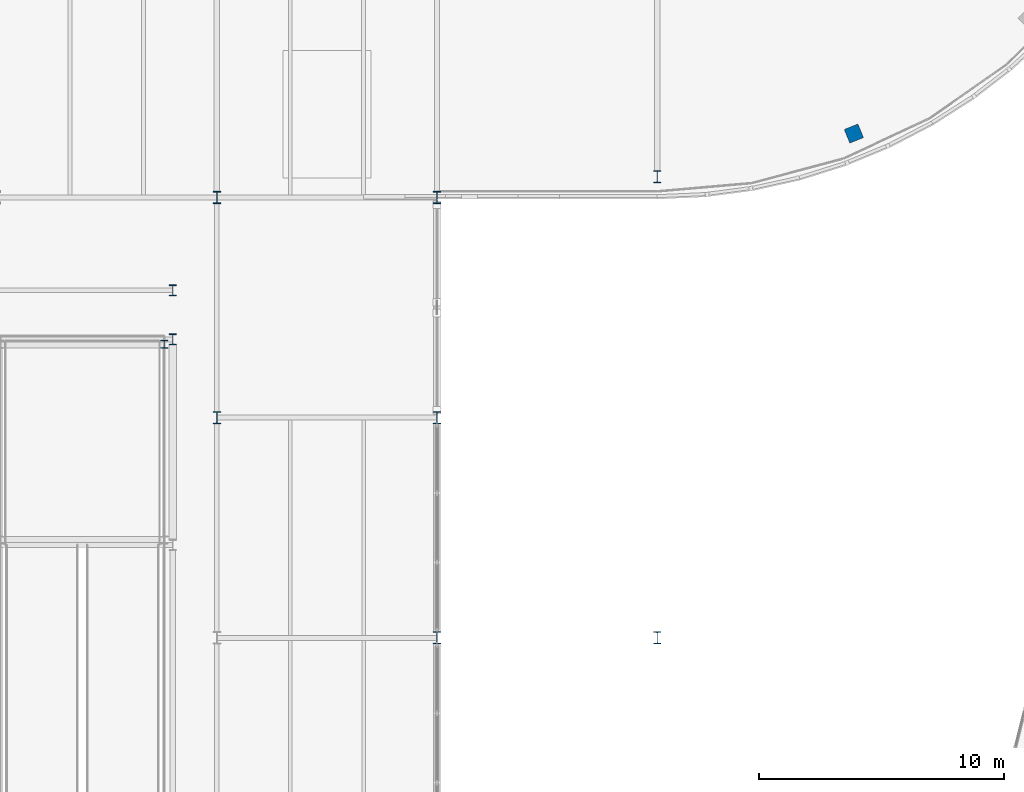
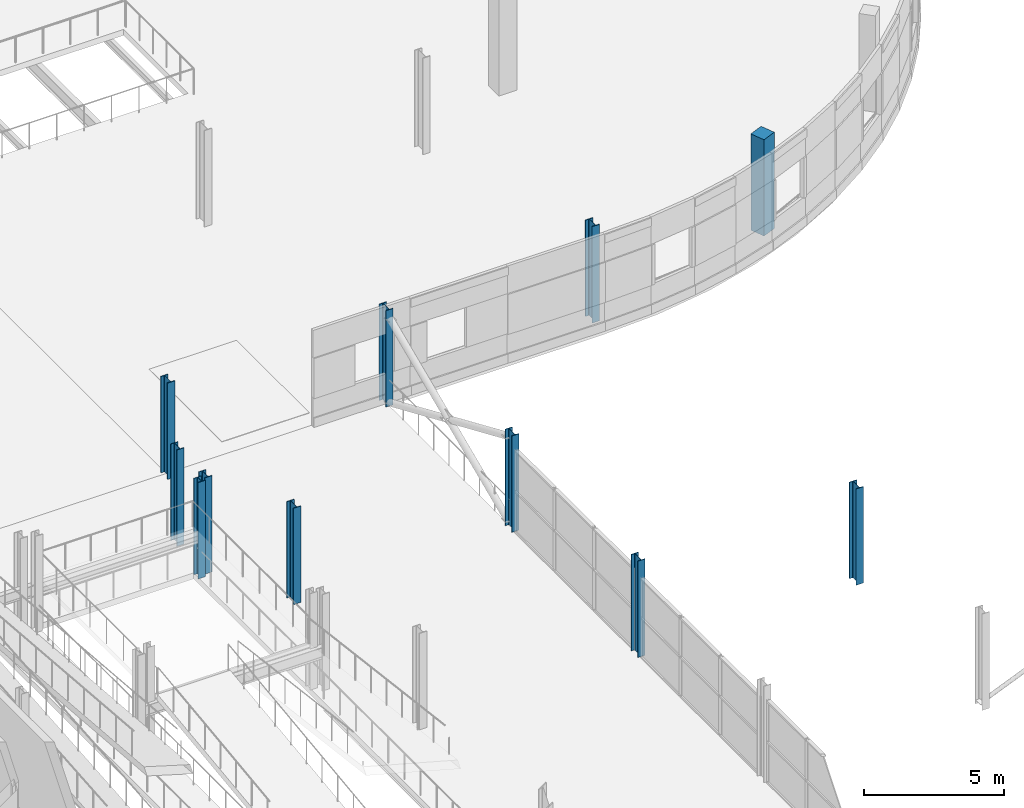
# One storey, part 13 of 140: 11 columns.
"""IFC4 building model written with IfcOpenShell, lengths in metres."""

from ifc_helpers import new_model, si_unit, direction, frame, origin, origin_2d, place, context, subcontext, project, spatial, rectangle, i_section, extrude, material, material_profile, profile_set, type_object, element, save


model = new_model("IFC4")

# Units and contexts
model_context = context("Model", 3, precision=1e-05, world=origin(), true_north=direction((0.0, 1.0)))
body_context = subcontext(model_context, "Body", "Model", "MODEL_VIEW")
ifc_project = project(units=[si_unit("LENGTHUNIT", "METRE"), si_unit("AREAUNIT", "SQUARE_METRE"), si_unit("VOLUMEUNIT", "CUBIC_METRE"), si_unit("PLANEANGLEUNIT", "RADIAN"), si_unit("MASSUNIT", "GRAM", prefix="KILO")], contexts=[model_context])

# Site, building, storey
site_placement = place(None, origin())
site = spatial("IfcSite", under=ifc_project, at=site_placement, CompositionType="ELEMENT")
building_placement = place(site_placement, origin())
building = spatial("IfcBuilding", under=site, at=building_placement, Name="Deido Ridge Mobility Hub", CompositionType="ELEMENT")
storey_placement = place(building_placement, origin())
storey = spatial("IfcBuildingStorey", under=building, at=storey_placement, Name="L00", CompositionType="ELEMENT", Elevation=0.0)

# Columns
ifc_material_1 = material(Name="Steel S355J2 EN 10025-2", Category="steel")
ifc_material_profile_1 = material_profile(ifc_material_1, i_section(OverallWidth=0.300048828125, OverallDepth=0.320068359375, WebThickness=0.011474609375, FlangeThickness=0.0205078125, FilletRadius=0.027099609375, at=origin_2d()), Name="HEB 320")
ifc_profile_set_1 = profile_set([ifc_material_profile_1], Name="Steel S355J2 EN 10025-2")
column_type_1 = type_object("IfcColumnType", Name="COL-HEB320", PredefinedType="COLUMN", material=ifc_profile_set_1)
column_1_placement = place(storey_placement, frame((96.85009765625, 75.0, 0.0), z_axis=(0.0, 0.0, 1.0), x_axis=(1.0, 0.0, 0.0)))
element("IfcColumn", 1, at=column_1_placement, inside=storey, type_object=column_type_1, Name="Structural column C9", PredefinedType="COLUMN", context=body_context, shape_type="SweptSolid", body=[
    extrude(i_section(OverallWidth=0.300048828125, OverallDepth=0.320068359375, WebThickness=0.011474609375, FlangeThickness=0.0205078125, FilletRadius=0.027099609375, at=origin_2d()), origin(), (0.0, 0.0, 1.0), 4.199951171875),
])
ifc_material_profile_2 = material_profile(ifc_material_1, i_section(OverallWidth=0.300048828125, OverallDepth=0.449951171875, WebThickness=0.013916015625, FlangeThickness=0.02587890625, FilletRadius=0.027099609375, at=origin_2d()), Name="HEB 450")
ifc_profile_set_2 = profile_set([ifc_material_profile_2], Name="Steel S355J2 EN 10025-2")
column_type_2 = type_object("IfcColumnType", Name="COL-HEB450", PredefinedType="COLUMN", material=ifc_profile_set_2)
for number, where, z_axis, x_axis, name in (
    (2, (97.199951171875, 75.199951171875, 0.0), (0.0, 0.0, 1.0), (1.0, 0.0, 0.0), "Structural column C6"),
    (3, (97.199951171875, 77.199951171875, 0.0), (0.0, 0.0, 1.0), (1.0, 0.0, 0.0), "Structural column C6"),
):
    element("IfcColumn", number, at=place(storey_placement, frame(where, z_axis=z_axis, x_axis=x_axis)), inside=storey, type_object=column_type_2, Name=name, PredefinedType="COLUMN", context=body_context, shape_type="SweptSolid", body=[
        extrude(i_section(OverallWidth=0.300048828125, OverallDepth=0.449951171875, WebThickness=0.013916015625, FlangeThickness=0.02587890625, FilletRadius=0.027099609375, at=origin_2d()), origin(), (0.0, 0.0, 1.0), 4.199951171875),
    ])
ifc_material_profile_3 = material_profile(ifc_material_1, i_section(OverallWidth=0.300048828125, OverallDepth=0.5, WebThickness=0.014404296875, FlangeThickness=0.028076171875, FilletRadius=0.027099609375, at=origin_2d()), Name="HEB 500")
ifc_profile_set_3 = profile_set([ifc_material_profile_3], Name="Steel S355J2 EN 10025-2")
column_type_3 = type_object("IfcColumnType", Name="COL-HEB500", PredefinedType="COLUMN", material=ifc_profile_set_3)
for number, where, z_axis, x_axis, name in (
    (4, (99.0, 72.0, 0.0), (0.0, 0.0, 1.0), (1.0, 0.0, 0.0), "Structural column C5"),
    (5, (99.0, 81.0, 0.0), (0.0, 0.0, 1.0), (1.0, 0.0, 0.0), "Structural column C5"),
    (6, (108.0, 63.0, 0.0), (0.0, 0.0, 1.0), (1.0, 0.0, 0.0), "Structural column C5"),
    (7, (108.0, 72.0, 0.0), (0.0, 0.0, 1.0), (1.0, 0.0, 0.0), "Structural column C5"),
    (8, (108.0, 81.0, 0.0), (0.0, 0.0, 1.0), (1.0, 0.0, 0.0), "Structural column C5"),
    (9, (117.0, 63.0, 0.0), (0.0, 0.0, 1.0), (1.0, 0.0, 0.0), "Structural column C5"),
    (10, (117.0, 81.85009765625, 0.0), (0.0, 0.0, 1.0), (1.0, 0.0, 0.0), "Structural column C5"),
):
    element("IfcColumn", number, at=place(storey_placement, frame(where, z_axis=z_axis, x_axis=x_axis)), inside=storey, type_object=column_type_3, Name=name, PredefinedType="COLUMN", context=body_context, shape_type="SweptSolid", body=[
        extrude(i_section(OverallWidth=0.300048828125, OverallDepth=0.5, WebThickness=0.014404296875, FlangeThickness=0.028076171875, FilletRadius=0.027099609375, at=origin_2d()), origin(), (0.0, 0.0, 1.0), 4.199951171875),
    ])
ifc_material_2 = material(Name="Concrete C40/50", Category="concrete")
ifc_material_profile_4 = material_profile(ifc_material_2, rectangle(XDim=0.60009765625, YDim=0.60009765625, at=origin_2d()), Name="RC COL 600x600")
ifc_profile_set_4 = profile_set([ifc_material_profile_4], Name="Concrete C40/50")
column_type_4 = type_object("IfcColumnType", Name="COL-RC600", PredefinedType="COLUMN", material=ifc_profile_set_4)
column_2_placement = place(storey_placement, frame((125.035400390625, 83.61181640625, 0.0), z_axis=(0.0, 0.0, 1.0), x_axis=(0.374606593416, -0.927183854567, 0.0)))
element("IfcColumn", 11, at=column_2_placement, inside=storey, type_object=column_type_4, Name="Structural column RC2", PredefinedType="COLUMN", context=body_context, shape_type="SweptSolid", body=[
    extrude(rectangle(XDim=0.60009765625, YDim=0.60009765625, at=origin_2d()), origin(), (0.0, 0.0, 1.0), 4.199951171875),
])

save(model, "model.ifc")
